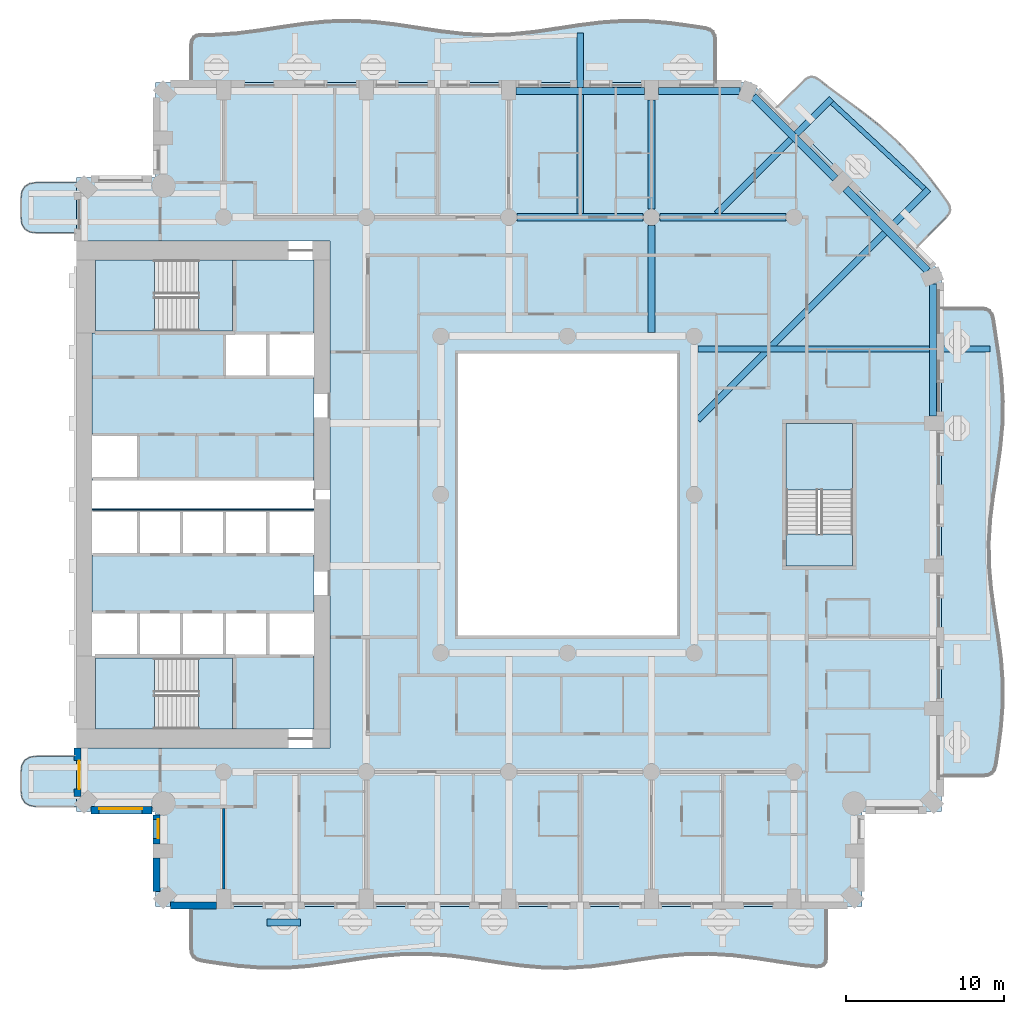
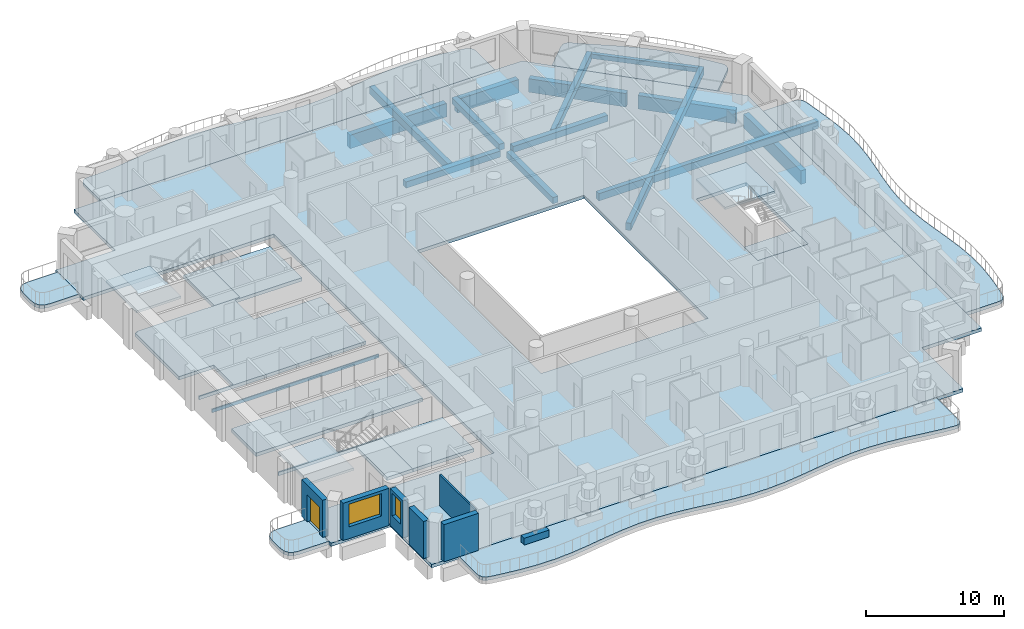
# One storey, part 2 of 20: 17 slabs, 14 beams, 7 walls, 2 windows, 1 door, 3 openings, 3 elements without a shape of their own.
"""IFC4 building model written with IfcOpenShell, lengths in metres."""

from ifc_helpers import new_model, si_unit, direction, frame, frame_2d, origin, origin_2d, place, context, subcontext, project, spatial, polyline, rectangle, outline, extrude, material, layer, layer_set, material_profile, profile_set, type_object, element, fill, aggregate, save


model = new_model("IFC4")

# Units and contexts
model_context = context("Model", 3, precision=1e-05, world=origin(), true_north=direction((0.0, 1.0)))
body_context = subcontext(model_context, "Body", "Model", "MODEL_VIEW")
ifc_project = project(units=[si_unit("LENGTHUNIT", "METRE"), si_unit("AREAUNIT", "SQUARE_METRE"), si_unit("VOLUMEUNIT", "CUBIC_METRE"), si_unit("PLANEANGLEUNIT", "RADIAN"), si_unit("MASSUNIT", "GRAM", prefix="KILO")], contexts=[model_context])

# Site, building, storey
site_placement = place(None, origin())
site = spatial("IfcSite", under=ifc_project, at=site_placement, CompositionType="ELEMENT")
building_placement = place(site_placement, origin())
building = spatial("IfcBuilding", under=site, at=building_placement, Name="Cypress Arch Tower", CompositionType="ELEMENT")
storey_placement = place(building_placement, frame((0.0, 0.0, 134.699951171875)))
storey = spatial("IfcBuildingStorey", under=building, at=storey_placement, Name="L29", CompositionType="ELEMENT", Elevation=134.699951171875)

# Beams
ifc_material_1 = material(Name="Concrete C50/60", Category="concrete")
ifc_material_profile_1 = material_profile(ifc_material_1, rectangle(XDim=0.300048828125, YDim=0.39990234375, at=origin_2d()), Name="RC 300x400")
ifc_profile_set_1 = profile_set([ifc_material_profile_1], Name="Concrete C50/60")
beam_type_1 = type_object("IfcBeamType", Name="Balcony edge beam RC 300x400 Concrete C50/60", PredefinedType="BEAM", material=ifc_profile_set_1)
beam_1_placement = place(storey_placement, frame((23.5302734375, 19.301025390625, -0.5), z_axis=(-0.732602447454, 0.680656781341, 0.0), x_axis=(-0.680656781341, -0.732602447454, 0.0)))
element("IfcBeam", 1, at=beam_1_placement, inside=storey, type_object=beam_type_1, Name="Balcony edge beam L29 A07", PredefinedType="BEAM", context=body_context, shape_type="SweptSolid", body=[
    extrude(rectangle(XDim=0.300048828125, YDim=0.39990234375, at=origin_2d()), origin(), (0.0, 0.0, 1.0), 7.96630859375),
])
ifc_material_2 = material(Name="Concrete C50/60", Category="concrete")
ifc_material_profile_2 = material_profile(ifc_material_2, rectangle(XDim=0.39990234375, YDim=0.64990234375, at=origin_2d()), Name="RC 400x650")
ifc_profile_set_2 = profile_set([ifc_material_profile_2], Name="Concrete C50/60")
beam_type_2 = type_object("IfcBeamType", Name="Cantilever beam RC 400x650 Concrete C50/60", PredefinedType="BEAM", material=ifc_profile_set_2)
beam_2_placement = place(storey_placement, frame((9.22509765625, 9.18798828125, -0.625), z_axis=(1.0, 0.0, 0.0), x_axis=(0.0, 1.0, 0.0)))
element("IfcBeam", 2, at=beam_2_placement, inside=storey, type_object=beam_type_2, Name="Cantilever beam L29 A06 2", PredefinedType="BEAM", context=body_context, shape_type="SweptSolid", body=[
    extrude(rectangle(XDim=0.39990234375, YDim=0.64990234375, at=origin_2d()), origin(), (0.0, 0.0, 1.0), 18.448486328125),
])
beam_3_placement = place(storey_placement, frame((9.22509765625, 4.712890625, -0.625), z_axis=(0.707100849904, 0.70711271242, 0.0), x_axis=(-0.70711271242, 0.707100849904, 0.0)))
element("IfcBeam", 3, at=beam_3_placement, inside=storey, type_object=beam_type_2, Name="Cantilever beam L29 A07 1", PredefinedType="BEAM", context=body_context, shape_type="SweptSolid", body=[
    extrude(rectangle(XDim=0.39990234375, YDim=0.64990234375, at=origin_2d()), origin(), (0.0, 0.0, 1.0), 20.580810546875),
])
beam_4_placement = place(storey_placement, frame((10.412841796875, 17.72509765625, -0.625), z_axis=(0.707106781187, 0.707106781187, 0.0), x_axis=(-0.707106781187, 0.707106781187, 0.0)))
element("IfcBeam", 4, at=beam_4_placement, inside=storey, type_object=beam_type_2, Name="Cantilever beam L29 A07 2", PredefinedType="BEAM", context=body_context, shape_type="SweptSolid", body=[
    extrude(rectangle(XDim=0.39990234375, YDim=0.64990234375, at=origin_2d()), origin(), (0.0, 0.0, 1.0), 10.2470703125),
])
beam_5_placement = place(storey_placement, frame((1.800048828125, 17.72509765625, -0.625), z_axis=(0.0, 1.0, 0.0), x_axis=(-1.0, 0.0, 0.0)))
element("IfcBeam", 5, at=beam_5_placement, inside=storey, type_object=beam_type_2, Name="Cantilever beam L29 A08 1", PredefinedType="BEAM", context=body_context, shape_type="SweptSolid", body=[
    extrude(rectangle(XDim=0.39990234375, YDim=0.64990234375, at=origin_2d()), origin(), (0.0, 0.0, 1.0), 11.40625),
])
ifc_material_3 = material(Name="Concrete C50/60", Category="concrete")
ifc_material_profile_3 = material_profile(ifc_material_3, rectangle(XDim=0.449951171875, YDim=0.550048828125, at=origin_2d()), Name="RC 450x550")
ifc_profile_set_3 = profile_set([ifc_material_profile_3], Name="Concrete C50/60")
beam_type_3 = type_object("IfcBeamType", Name="Floor beam RC 450x550 Concrete C50/60", PredefinedType="BEAM", material=ifc_profile_set_3)
for number, where, z_axis, x_axis, name in (
    (6, (-2.175048828125, 17.5, -0.574951171875), (1.0, 0.0, 0.0), (0.0, 1.0, 0.0), "Floor beam L29 FB017"),
    (7, (6.824951171875, 17.5, -0.574951171875), (1.0, 0.0, 0.0), (0.0, 1.0, 0.0), "Floor beam L29 FB018"),
):
    element("IfcBeam", number, at=place(storey_placement, frame(where, z_axis=z_axis, x_axis=x_axis)), inside=storey, type_object=beam_type_3, Name=name, PredefinedType="BEAM", context=body_context, shape_type="SweptSolid", body=[
        extrude(rectangle(XDim=0.449951171875, YDim=0.550048828125, at=origin_2d()), origin(), (0.0, 0.0, 1.0), 7.949951171875),
    ])
beam_6_placement = place(storey_placement, frame((6.300048828125, 10.22509765625, -0.574951171875), z_axis=(0.0, 1.0, 0.0), x_axis=(-1.0, 0.0, 0.0)))
element("IfcBeam", 8, at=beam_6_placement, inside=storey, type_object=beam_type_3, Name="Floor beam L29 FB032", PredefinedType="BEAM", context=body_context, shape_type="SweptSolid", body=[
    extrude(rectangle(XDim=0.449951171875, YDim=0.550048828125, at=origin_2d()), origin(), (0.0, 0.0, 1.0), 6.75),
])
beam_7_placement = place(storey_placement, frame((6.300048828125, 18.02490234375, -0.574951171875), z_axis=(0.0, 1.0, 0.0), x_axis=(-1.0, 0.0, 0.0)))
element("IfcBeam", 9, at=beam_7_placement, inside=storey, type_object=beam_type_3, Name="Floor beam L29 FB033", PredefinedType="BEAM", context=body_context, shape_type="SweptSolid", body=[
    extrude(rectangle(XDim=0.449951171875, YDim=0.550048828125, at=origin_2d()), origin(), (0.0, 0.0, 1.0), 6.875),
])
ifc_material_4 = material(Name="Concrete C50/60", Category="concrete")
ifc_material_profile_4 = material_profile(ifc_material_4, rectangle(XDim=0.449951171875, YDim=1.199951171875, at=origin_2d()), Name="RC 450x1200")
ifc_profile_set_4 = profile_set([ifc_material_profile_4], Name="Concrete C50/60")
beam_type_4 = type_object("IfcBeamType", Name="Spandrel beam RC 450x1200 Concrete C50/60", PredefinedType="SPANDREL", material=ifc_profile_set_4)
beam_8_placement = place(storey_placement, frame((24.074951171875, 4.949951171875, -1.550048828125), z_axis=(0.0, 1.0, 0.0), x_axis=(-1.0, 0.0, 0.0)))
element("IfcBeam", 10, at=beam_8_placement, inside=storey, type_object=beam_type_4, Name="Spandrel beam L29 BA06-3", PredefinedType="SPANDREL", context=body_context, shape_type="SweptSolid", body=[
    extrude(rectangle(XDim=0.449951171875, YDim=1.199951171875, at=origin_2d()), origin(), (0.0, 0.0, 1.0), 8.345458984375),
])
for number, where, z_axis, x_axis, name in (
    (11, (23.73046875, 14.126953125, -1.550048828125), (-0.707106781187, 0.707106781187, 0.0), (-0.707106781187, -0.707106781187, 0.0), "Spandrel beam L29 BA07-0"),
    (12, (17.91064453125, 19.947021484375, -1.550048828125), (-0.707106781187, 0.707106781187, 0.0), (-0.707106781187, -0.707106781187, 0.0), "Spandrel beam L29 BA07-1"),
):
    element("IfcBeam", number, at=place(storey_placement, frame(where, z_axis=z_axis, x_axis=x_axis)), inside=storey, type_object=beam_type_4, Name=name, PredefinedType="SPANDREL", context=body_context, shape_type="SweptSolid", body=[
        extrude(rectangle(XDim=0.449951171875, YDim=1.199951171875, at=origin_2d()), origin(), (0.0, 0.0, 1.0), 7.330810546875),
    ])
beam_9_placement = place(storey_placement, frame((11.8955078125, 25.47509765625, -1.550048828125), z_axis=(-1.0, 0.0, 0.0), x_axis=(0.0, -1.0, 0.0)))
element("IfcBeam", 13, at=beam_9_placement, inside=storey, type_object=beam_type_4, Name="Spandrel beam L29 BA08-0", PredefinedType="SPANDREL", context=body_context, shape_type="SweptSolid", body=[
    extrude(rectangle(XDim=0.449951171875, YDim=1.199951171875, at=origin_2d()), origin(), (0.0, 0.0, 1.0), 5.1455078125),
])
beam_10_placement = place(storey_placement, frame((5.85009765625, 25.47509765625, -1.550048828125), z_axis=(-1.0, 0.0, 0.0), x_axis=(0.0, -1.0, 0.0)))
element("IfcBeam", 14, at=beam_10_placement, inside=storey, type_object=beam_type_4, Name="Spandrel beam L29 BA08-1", PredefinedType="SPANDREL", context=body_context, shape_type="SweptSolid", body=[
    extrude(rectangle(XDim=0.449951171875, YDim=1.199951171875, at=origin_2d()), origin(), (0.0, 0.0, 1.0), 8.10009765625),
])

# Slabs
ifc_material_5 = material(Name="Concrete C40/50", Category="concrete")
ifc_layer_1 = layer(ifc_material_5, 0.300048828125)
ifc_layer_set_1 = layer_set([ifc_layer_1], Name="Balcony slab BS300")
slab_type_1 = type_object("IfcSlabType", Name="Balcony slab BS300", PredefinedType="USERDEFINED", material=ifc_layer_set_1)
slab_1_placement = place(storey_placement, frame((0.0, 0.0, -0.300048828125)))
element("IfcSlab", 15, at=slab_1_placement, inside=storey, type_object=slab_type_1, Name="Balcony slab L29-A00W0", ObjectType="BALCONY SLAB", PredefinedType="USERDEFINED", context=body_context, shape_type="SweptSolid", body=[
    extrude(outline(polyline([(-30.0, 19.699951171875), (-32.5, 19.699951171875), (-32.9375, 19.637451171875), (-33.25, 19.449951171875), (-33.4375, 19.137451171875), (-33.5, 18.699951171875), (-33.5, 17.5), (-33.4375, 17.0625), (-33.25, 16.75), (-32.9375, 16.5625), (-32.5, 16.5), (-30.0, 16.5), (-30.0, 19.699951171875)])), origin(), (0.0, 0.0, 1.0), 0.300048828125),
])
slab_2_placement = place(storey_placement, frame((0.0, 0.0, -0.300048828125)))
element("IfcSlab", 16, at=slab_2_placement, inside=storey, type_object=slab_type_1, Name="Balcony slab L29-A00W1", ObjectType="BALCONY SLAB", PredefinedType="USERDEFINED", context=body_context, shape_type="SweptSolid", body=[
    extrude(outline(polyline([(-30.0, -16.5), (-32.5, -16.5), (-32.9375, -16.5625), (-33.25, -16.75), (-33.4375, -17.0625), (-33.5, -17.5), (-33.5, -18.699951171875), (-33.4375, -19.137451171875), (-33.25, -19.449951171875), (-32.9375, -19.637451171875), (-32.5, -19.699951171875), (-30.0, -19.699951171875), (-30.0, -16.5)])), origin(), (0.0, 0.0, 1.0), 0.300048828125),
])
slab_3_placement = place(storey_placement, frame((0.0, 0.0, -0.300048828125)))
element("IfcSlab", 17, at=slab_3_placement, inside=storey, type_object=slab_type_1, Name="Balcony slab L29-A03", ObjectType="BALCONY SLAB", PredefinedType="USERDEFINED", context=body_context, shape_type="SweptSolid", body=[
    extrude(outline(polyline([(-22.75, -26.0), (-22.75, -28.6572265625), (-22.708251953125, -28.95947265625), (-22.5830078125, -29.1904296875), (-22.3740234375, -29.349609375), (-22.081787109375, -29.437255859375), (-21.264892578125, -29.564208984375), (-19.779541015625, -29.764892578125), (-18.29443359375, -29.8828125), (-16.809326171875, -29.886962890625), (-15.323974609375, -29.7763671875), (-13.8388671875, -29.579833984375), (-12.353759765625, -29.349365234375), (-10.868408203125, -29.145263671875), (-9.38330078125, -29.021240234375), (-7.898193359375, -29.010009765625), (-6.412841796875, -29.1142578125), (-4.927734375, -29.306884765625), (-3.442626953125, -29.537109375), (-1.95751953125, -29.744384765625), (-0.47216796875, -29.874267578125), (1.012939453125, -29.892822265625), (2.498046875, -29.794921875), (3.9833984375, -29.6064453125), (5.468505859375, -29.376708984375), (6.95361328125, -29.166259765625), (8.43896484375, -29.030517578125), (9.924072265625, -29.0048828125), (11.4091796875, -29.09619140625), (12.89453125, -29.280517578125), (14.379638671875, -29.509521484375), (15.86474609375, -29.72265625), (16.681640625, -29.800537109375), (16.97412109375, -29.786376953125), (17.182861328125, -29.680419921875), (17.308349609375, -29.482666015625), (17.35009765625, -29.19287109375), (17.35009765625, -26.0), (-22.75, -26.0)])), origin(), (0.0, 0.0, 1.0), 0.300048828125),
])
slab_4_placement = place(storey_placement, frame((0.0, 0.0, -0.300048828125)))
element("IfcSlab", 18, at=slab_4_placement, inside=storey, type_object=slab_type_1, Name="Balcony slab L29-A06", ObjectType="BALCONY SLAB", PredefinedType="USERDEFINED", context=body_context, shape_type="SweptSolid", body=[
    extrude(outline(polyline([(24.60009765625, -17.75), (27.26171875, -17.75), (27.562255859375, -17.70849609375), (27.791259765625, -17.583984375), (27.949462890625, -17.376708984375), (28.03662109375, -17.086181640625), (28.16259765625, -16.27490234375), (28.362548828125, -14.800048828125), (28.4814453125, -13.324951171875), (28.488525390625, -11.85009765625), (28.3818359375, -10.375), (28.18896484375, -8.89990234375), (27.960205078125, -7.425048828125), (27.7548828125, -5.949951171875), (27.625732421875, -4.47509765625), (27.60693359375, -3.0), (27.702880859375, -1.52490234375), (27.888671875, -0.050048828125), (28.116455078125, 1.425048828125), (28.3271484375, 2.89990234375), (28.4658203125, 4.375), (28.49658203125, 5.85009765625), (28.41162109375, 7.324951171875), (28.23291015625, 8.800048828125), (28.0068359375, 10.27490234375), (27.888671875, 11.086181640625), (27.804443359375, 11.376708984375), (27.6484375, 11.583984375), (27.420654296875, 11.70849609375), (27.12109375, 11.75), (24.60009765625, 11.75), (24.60009765625, -17.75)])), origin(), (0.0, 0.0, 1.0), 0.300048828125),
])
slab_5_placement = place(storey_placement, frame((0.0, 0.0, -0.300048828125)))
element("IfcSlab", 19, at=slab_5_placement, inside=storey, type_object=slab_type_1, Name="Balcony slab L29-A07", ObjectType="BALCONY SLAB", PredefinedType="USERDEFINED", context=body_context, shape_type="SweptSolid", body=[
    extrude(outline(polyline([(23.009033203125, 15.591064453125), (24.919921875, 17.501953125), (25.091796875, 17.72900390625), (25.16162109375, 17.9638671875), (25.12890625, 18.206787109375), (24.993896484375, 18.45751953125), (24.538818359375, 19.080322265625), (23.6953125, 20.1962890625), (22.804443359375, 21.26513671875), (21.845947265625, 22.26611328125), (20.814697265625, 23.194580078125), (19.722900390625, 24.06201171875), (18.595703125, 24.89453125), (17.46728515625, 25.725830078125), (16.86474609375, 26.200927734375), (16.621337890625, 26.34326171875), (16.384033203125, 26.381591796875), (16.15283203125, 26.315673828125), (15.927734375, 26.145751953125), (14.19091796875, 24.408935546875), (23.009033203125, 15.591064453125)])), origin(), (0.0, 0.0, 1.0), 0.300048828125),
])
slab_6_placement = place(storey_placement, frame((0.0, 0.0, -0.300048828125)))
element("IfcSlab", 20, at=slab_6_placement, inside=storey, type_object=slab_type_1, Name="Balcony slab L29-A08", ObjectType="BALCONY SLAB", PredefinedType="USERDEFINED", context=body_context, shape_type="SweptSolid", body=[
    extrude(outline(polyline([(10.35009765625, 26.0), (10.35009765625, 28.67822265625), (10.3095703125, 28.97119140625), (10.18798828125, 29.19482421875), (9.98583984375, 29.34912109375), (9.702392578125, 29.43408203125), (8.910888671875, 29.55712890625), (7.4716796875, 29.75439453125), (6.03271484375, 29.87646484375), (4.593505859375, 29.89306640625), (3.154296875, 29.800048828125), (1.71533203125, 29.620849609375), (0.276123046875, 29.399169921875), (-1.1630859375, 29.190185546875), (-2.602294921875, 29.04541015625), (-4.041259765625, 29.00048828125), (-5.48046875, 29.066650390625), (-6.919677734375, 29.227783203125), (-8.358642578125, 29.443603515625), (-9.7978515625, 29.660888671875), (-11.237060546875, 29.826171875), (-12.676025390625, 29.898681640625), (-14.115234375, 29.860107421875), (-15.554443359375, 29.72021484375), (-16.993408203125, 29.513671875), (-18.4326171875, 29.291259765625), (-19.871826171875, 29.108154296875), (-21.310791015625, 29.009521484375), (-22.102294921875, 29.01513671875), (-22.3857421875, 28.9765625), (-22.588134765625, 28.856689453125), (-22.70947265625, 28.655029296875), (-22.75, 28.3720703125), (-22.75, 26.0), (10.35009765625, 26.0)])), origin(), (0.0, 0.0, 1.0), 0.300048828125),
])
ifc_material_6 = material(Name="Concrete C40/50", Category="concrete")
ifc_layer_2 = layer(ifc_material_6, 0.300048828125)
ifc_layer_set_2 = layer_set([ifc_layer_2], Name="Core floor CF300")
slab_type_2 = type_object("IfcSlabType", Name="Core floor CF300", PredefinedType="FLOOR", material=ifc_layer_set_2)
slab_7_placement = place(storey_placement, frame((0.0, 0.0, -0.300048828125)))
element("IfcSlab", 21, at=slab_7_placement, inside=storey, type_object=slab_type_2, Name="Core floor", PredefinedType="FLOOR", context=body_context, shape_type="SweptSolid", body=[
    extrude(outline(polyline([(-20.125, -14.800048828125), (-15.0, -14.800048828125), (-15.0, -10.199951171875), (-17.919921875, -10.199951171875), (-20.639892578125, -10.199951171875), (-23.360107421875, -10.199951171875), (-26.080078125, -10.199951171875), (-28.800048828125, -10.199951171875), (-28.800048828125, -10.324951171875), (-22.27490234375, -10.324951171875), (-20.125, -10.324951171875), (-20.125, -14.800048828125)])), origin(), (0.0, 0.0, 1.0), 0.300048828125),
])
slab_8_placement = place(storey_placement, frame((0.0, 0.0, -0.300048828125)))
element("IfcSlab", 22, at=slab_8_placement, inside=storey, type_object=slab_type_2, Name="Core floor", PredefinedType="FLOOR", context=body_context, shape_type="SweptSolid", body=[
    extrude(outline(polyline([(-29.0, -3.800048828125), (-29.0, -7.39990234375), (-26.080078125, -7.39990234375), (-23.360107421875, -7.39990234375), (-20.639892578125, -7.39990234375), (-17.919921875, -7.39990234375), (-15.0, -7.39990234375), (-15.0, -3.800048828125), (-17.919921875, -3.800048828125), (-20.639892578125, -3.800048828125), (-23.360107421875, -3.800048828125), (-26.080078125, -3.800048828125), (-29.0, -3.800048828125)])), origin(), (0.0, 0.0, 1.0), 0.300048828125),
])
slab_9_placement = place(storey_placement, frame((0.0, 0.0, -0.300048828125)))
element("IfcSlab", 23, at=slab_9_placement, inside=storey, type_object=slab_type_2, Name="Core floor", PredefinedType="FLOOR", context=body_context, shape_type="SweptSolid", body=[
    extrude(outline(polyline([(-29.0, 3.800048828125), (-29.0, 10.199951171875), (-28.800048828125, 10.199951171875), (-28.800048828125, 10.324951171875), (-28.60009765625, 10.324951171875), (-22.27490234375, 10.324951171875), (-20.125, 10.324951171875), (-20.125, 14.800048828125), (-15.39990234375, 14.800048828125), (-15.0, 14.800048828125), (-15.0, 10.199951171875), (-15.39990234375, 10.199951171875), (-17.919921875, 10.199951171875), (-20.639892578125, 10.199951171875), (-20.639892578125, 7.39990234375), (-17.919921875, 7.39990234375), (-15.39990234375, 7.39990234375), (-15.0, 7.39990234375), (-15.0, 0.89990234375), (-28.60009765625, 0.89990234375), (-29.0, 0.89990234375), (-29.0, 1.0), (-28.60009765625, 1.0), (-26.080078125, 1.0), (-26.080078125, 3.800048828125), (-28.60009765625, 3.800048828125), (-29.0, 3.800048828125)])), origin(), (0.0, 0.0, 1.0), 0.300048828125),
])
slab_10_placement = place(storey_placement, frame((0.0, 0.0, -0.300048828125)))
element("IfcSlab", 24, at=slab_10_placement, inside=storey, type_object=slab_type_2, Name="Core floor", PredefinedType="FLOOR", context=body_context, shape_type="SweptSolid", body=[
    extrude(outline(polyline([(-22.27490234375, -10.324951171875), (-22.27490234375, -14.800048828125), (-20.125, -14.800048828125), (-20.125, -10.324951171875), (-22.27490234375, -10.324951171875)])), origin(), (0.0, 0.0, 1.0), 0.300048828125),
])
slab_11_placement = place(storey_placement, frame((0.0, 0.0, -0.300048828125)))
element("IfcSlab", 25, at=slab_11_placement, inside=storey, type_object=slab_type_2, Name="Core floor", PredefinedType="FLOOR", context=body_context, shape_type="SweptSolid", body=[
    extrude(outline(polyline([(-20.125, 14.800048828125), (-22.27490234375, 14.800048828125), (-22.27490234375, 10.324951171875), (-20.125, 10.324951171875), (-20.125, 14.800048828125)])), origin(), (0.0, 0.0, 1.0), 0.300048828125),
])
slab_12_placement = place(storey_placement, frame((0.0, 0.0, -0.300048828125)))
element("IfcSlab", 26, at=slab_12_placement, inside=storey, type_object=slab_type_2, Name="Stair floor landing", PredefinedType="FLOOR", context=body_context, shape_type="SweptSolid", body=[
    extrude(outline(polyline([(19.0, -4.5), (19.0, -2.5), (14.800048828125, -2.5), (14.800048828125, -4.5), (19.0, -4.5)])), origin(), (0.0, 0.0, 1.0), 0.300048828125),
])
slab_13_placement = place(storey_placement, frame((0.0, 0.0, -0.300048828125)))
element("IfcSlab", 27, at=slab_13_placement, inside=storey, type_object=slab_type_2, Name="Core floor", PredefinedType="FLOOR", context=body_context, shape_type="SweptSolid", body=[
    extrude(outline(polyline([(-20.639892578125, -1.0), (-23.360107421875, -1.0), (-26.080078125, -1.0), (-28.60009765625, -1.0), (-29.0, -1.0), (-29.0, -0.89990234375), (-28.60009765625, -0.89990234375), (-15.39990234375, -0.89990234375), (-15.0, -0.89990234375), (-15.0, -1.0), (-15.39990234375, -1.0), (-17.919921875, -1.0), (-20.639892578125, -1.0)])), origin(), (0.0, 0.0, 1.0), 0.300048828125),
])
ifc_material_7 = material(Name="Concrete C40/50", Category="concrete")
ifc_layer_3 = layer(ifc_material_7, 0.300048828125)
ifc_layer_set_3 = layer_set([ifc_layer_3], Name="PT flat slab 300 Concrete C40/50")
slab_type_3 = type_object("IfcSlabType", Name="PT flat slab 300 Concrete C40/50", PredefinedType="FLOOR", material=ifc_layer_set_3)
slab_14_placement = place(storey_placement, frame((0.0, 0.0, -0.300048828125)))
element("IfcSlab", 28, at=slab_14_placement, inside=storey, type_object=slab_type_3, Name="Floor slab L29", PredefinedType="FLOOR", context=body_context, shape_type="SweptSolid", body=[
    extrude(outline(polyline([(-30.0, 20.0), (-25.0, 20.0), (-25.0, 26.0), (12.60009765625, 26.0), (24.60009765625, 14.0), (24.60009765625, -20.0), (19.60009765625, -20.0), (19.60009765625, -26.0), (-25.0, -26.0), (-25.0, -20.0), (-30.0, -20.0), (-30.0, -16.0), (-14.0, -16.0), (-14.0, 16.0), (-30.0, 16.0), (-30.0, 20.0)]), holes=[polyline([(-6.0, -9.0), (8.0, -9.0), (8.0, 9.0), (-6.0, 9.0), (-6.0, -9.0)]), polyline([(14.800048828125, -4.5), (19.0, -4.5), (19.0, 4.5), (14.800048828125, 4.5), (14.800048828125, -4.5)])]), origin(), (0.0, 0.0, 1.0), 0.300048828125),
])

# Stair, slab
ifc_material_8 = material(Name="Concrete C40/50", Category="concrete")
stair_type_1 = type_object("IfcStairType", Name="Exit stair ES1636-215", PredefinedType="HALF_TURN_STAIR", material=ifc_material_8)
stair_1_placement = place(storey_placement, origin())
stair_1 = element("IfcStair", 29, at=stair_1_placement, inside=storey, type_object=stair_type_1, Name="L29 Exit stair A", PredefinedType="HALF_TURN_STAIR")
ifc_material_9 = material(Name="Concrete C40/50", Category="concrete")
ifc_layer_4 = layer(ifc_material_9, 0.199951171875)
ifc_layer_set_4 = layer_set([ifc_layer_4], Name="Stair landing SL200")
slab_type_4 = type_object("IfcSlabType", Name="Stair landing SL200", PredefinedType="LANDING", material=ifc_layer_set_4)
slab_15_placement = place(storey_placement, frame((0.0, 0.0, 1.60009765625)))
slab_15 = element("IfcSlab", 30, at=slab_15_placement, type_object=slab_type_4, Name="A landing 1", PredefinedType="LANDING", context=body_context, shape_type="SweptSolid", body=[
    extrude(outline(polyline([(-25.074951171875, -10.324951171875), (-28.800048828125, -10.324951171875), (-28.800048828125, -14.800048828125), (-25.074951171875, -14.800048828125), (-25.074951171875, -10.324951171875)])), origin(), (0.0, 0.0, 1.0), 0.199951171875),
])
aggregate(stair_1, [slab_15])

stair_2_placement = place(storey_placement, origin())
stair_2 = element("IfcStair", 31, at=stair_2_placement, inside=storey, type_object=stair_type_1, Name="L29 Exit stair B", PredefinedType="HALF_TURN_STAIR")
slab_16_placement = place(storey_placement, frame((0.0, 0.0, 1.60009765625)))
slab_16 = element("IfcSlab", 32, at=slab_16_placement, type_object=slab_type_4, Name="B landing 1", PredefinedType="LANDING", context=body_context, shape_type="SweptSolid", body=[
    extrude(outline(polyline([(-25.074951171875, 14.800048828125), (-28.800048828125, 14.800048828125), (-28.800048828125, 10.324951171875), (-25.074951171875, 10.324951171875), (-25.074951171875, 14.800048828125)])), origin(), (0.0, 0.0, 1.0), 0.199951171875),
])
aggregate(stair_2, [slab_16])

ifc_material_10 = material(Name="Concrete C40/50", Category="concrete")
stair_type_2 = type_object("IfcStairType", Name="Exit stair ES1636-200", PredefinedType="HALF_TURN_STAIR", material=ifc_material_10)
stair_3_placement = place(storey_placement, origin())
stair_3 = element("IfcStair", 33, at=stair_3_placement, inside=storey, type_object=stair_type_2, Name="L29 Exit stair C", PredefinedType="HALF_TURN_STAIR")
slab_17_placement = place(storey_placement, frame((0.0, 0.0, 1.60009765625)))
slab_17 = element("IfcSlab", 34, at=slab_17_placement, type_object=slab_type_4, Name="C landing 1", PredefinedType="LANDING", context=body_context, shape_type="SweptSolid", body=[
    extrude(outline(polyline([(19.0, 0.300048828125), (19.0, 4.5), (14.800048828125, 4.5), (14.800048828125, 0.300048828125), (19.0, 0.300048828125)])), origin(), (0.0, 0.0, 1.0), 0.199951171875),
])
aggregate(stair_3, [slab_17])

# Wall
ifc_material_11 = material(Name="Concrete C40/50, waterproofed", Category="concrete")
ifc_layer_5 = layer(ifc_material_11, 0.449951171875)
ifc_layer_set_5 = layer_set([ifc_layer_5], Name="Balcony planter wall PW450")
wall_type_1 = type_object("IfcWallType", Name="Balcony planter wall PW450", PredefinedType="SOLIDWALL", material=ifc_layer_set_5)
wall_1_placement = place(storey_placement, frame((-17.949951171875, -27.0, 0.0), z_axis=(0.0, 0.0, 1.0), x_axis=(1.0, 0.0, 0.0)))
element("IfcWall", 35, at=wall_1_placement, inside=storey, type_object=wall_type_1, Name="Balcony planter wall L29-A03.1", PredefinedType="SOLIDWALL", context=body_context, shape_type="SweptSolid", body=[
    extrude(rectangle(XDim=2.099853515625, YDim=0.449951171875, at=frame_2d((1.0498046875, 0.0))), origin(), (0.0, 0.0, 1.0), 0.60009765625),
])

# Wall, opening, door
ifc_material_12 = material(Name="Brick (red buff blend)", Category="masonry")
ifc_layer_6 = layer(ifc_material_12, 0.449951171875)
ifc_layer_set_6 = layer_set([ifc_layer_6], Name="Brick pier and spandrel wall BW450")
wall_type_2 = type_object("IfcWallType", Name="Brick pier and spandrel wall BW450", PredefinedType="SOLIDWALL", material=ifc_layer_set_6)
wall_2_placement = place(storey_placement, frame((-29.925048828125, -16.0, 0.0), z_axis=(0.0, 0.0, 1.0), x_axis=(0.0, -1.0, 0.0)))
wall_2 = element("IfcWall", 36, at=wall_2_placement, inside=storey, type_object=wall_type_2, Name="Brick wall L29 A00.0.1", PredefinedType="SOLIDWALL", context=body_context, shape_type="SweptSolid", body=[
    extrude(rectangle(XDim=3.063720703125, YDim=0.449951171875, at=frame_2d((1.53173828125, 0.0))), origin(), (0.0, 0.0, 1.0), 3.300048828125),
])
opening_1_placement = place(wall_2_placement, frame((0.78173828125, 0.0, 0.0)))
opening_1 = element("IfcOpeningElement", 37, at=opening_1_placement, cuts=wall_2, Name="Opening D-L29-A00.0.1.9", PredefinedType="OPENING", context=body_context, shape_type="SweptSolid", body=[
    extrude(rectangle(XDim=1.800048828125, YDim=2.39990234375, at=frame_2d((0.89990234375, 1.199951171875))), frame((0.0, 0.23486328125, 0.0), z_axis=(0.0, -1.0, 0.0), x_axis=(1.0, 0.0, 0.0)), (0.0, 0.0, 1.0), 0.469970703125),
])
ifc_material_13 = material(Name="Anodised aluminium, bronze finish, laminated low-emissivity double glazing, large-missile impact rated", Category="aluminium")
door_type = type_object("IfcDoorType", Name="Balcony sliding door 1800x2400", OperationType="SLIDING_TO_LEFT", PredefinedType="DOOR", material=ifc_material_13)
door_placement = place(opening_1_placement, origin())
door = element("IfcDoor", 38, at=door_placement, inside=storey, type_object=door_type, Name="Balcony door L29 A00.0.1.9", OperationType="SLIDING_TO_LEFT", OverallHeight=2.39990234375, OverallWidth=1.800048828125, PredefinedType="DOOR", context=body_context, shape_type="SweptSolid", body=[
    extrude(rectangle(XDim=1.800048828125, YDim=2.39990234375, at=frame_2d((0.89990234375, 1.199951171875))), frame((0.0, 0.1298828125, 0.0), z_axis=(0.0, -1.0, 0.0), x_axis=(1.0, 0.0, 0.0)), (0.0, 0.0, 1.0), 0.050048828125),
])
fill(opening_1, door)

# Wall, opening, window
wall_3_placement = place(storey_placement, frame((-29.063720703125, -19.925048828125, 0.0), z_axis=(0.0, 0.0, 1.0), x_axis=(1.0, 0.0, 0.0)))
wall_3 = element("IfcWall", 39, at=wall_3_placement, inside=storey, type_object=wall_type_2, Name="Brick wall L29 A01.0", PredefinedType="SOLIDWALL", context=body_context, shape_type="SweptSolid", body=[
    extrude(rectangle(XDim=3.856689453125, YDim=0.449951171875, at=frame_2d((1.92822265625, 0.0))), origin(), (0.0, 0.0, 1.0), 3.300048828125),
])
opening_2_placement = place(wall_3_placement, frame((0.513671875, 0.0, 1.050048828125)))
opening_2 = element("IfcOpeningElement", 40, at=opening_2_placement, cuts=wall_3, Name="Opening W270H", PredefinedType="OPENING", context=body_context, shape_type="SweptSolid", body=[
    extrude(rectangle(XDim=2.699951171875, YDim=2.0, at=frame_2d((1.35009765625, 1.0))), frame((0.0, 0.23486328125, 0.0), z_axis=(0.0, -1.0, 0.0), x_axis=(1.0, 0.0, 0.0)), (0.0, 0.0, 1.0), 0.469970703125),
])
ifc_material_14 = material(Name="Anodised aluminium, bronze finish, clear low-emissivity double glazing", Category="aluminium")
window_type_1 = type_object("IfcWindowType", Name="Window Hotel 2700x2000", PartitioningType="SINGLE_PANEL", PredefinedType="WINDOW", material=ifc_material_14)
window_1_placement = place(opening_2_placement, origin())
window_1 = element("IfcWindow", 41, at=window_1_placement, inside=storey, type_object=window_type_1, Name="Window L29 A01.0.1", OverallHeight=2.0, OverallWidth=2.699951171875, PartitioningType="SINGLE_PANEL", PredefinedType="WINDOW", context=body_context, shape_type="SweptSolid", body=[
    extrude(rectangle(XDim=2.699951171875, YDim=2.0, at=frame_2d((1.35009765625, 1.0))), frame((0.0, 0.135009765625, 0.0), z_axis=(0.0, -1.0, 0.0), x_axis=(1.0, 0.0, 0.0)), (0.0, 0.0, 1.0), 0.06005859375),
])
fill(opening_2, window_1)

wall_4_placement = place(storey_placement, frame((-24.925048828125, -20.20703125, 0.0), z_axis=(0.0, 0.0, 1.0), x_axis=(0.0, -1.0, 0.0)))
wall_4 = element("IfcWall", 42, at=wall_4_placement, inside=storey, type_object=wall_type_2, Name="Brick wall L29 A02.0", PredefinedType="SOLIDWALL", context=body_context, shape_type="SweptSolid", body=[
    extrude(rectangle(XDim=1.843017578125, YDim=0.449951171875, at=frame_2d((0.92138671875, 0.0))), origin(), (0.0, 0.0, 1.0), 3.300048828125),
])
opening_3_placement = place(wall_4_placement, frame((0.29296875, 0.0, 1.050048828125)))
opening_3 = element("IfcOpeningElement", 43, at=opening_3_placement, cuts=wall_4, Name="Opening W120H", PredefinedType="OPENING", context=body_context, shape_type="SweptSolid", body=[
    extrude(rectangle(XDim=1.199951171875, YDim=2.0, at=frame_2d((0.60009765625, 1.0))), frame((0.0, 0.23486328125, 0.0), z_axis=(0.0, -1.0, 0.0), x_axis=(1.0, 0.0, 0.0)), (0.0, 0.0, 1.0), 0.469970703125),
])
ifc_material_15 = material(Name="Anodised aluminium, bronze finish, clear low-emissivity double glazing", Category="aluminium")
window_type_2 = type_object("IfcWindowType", Name="Window Hotel 1200x2000", PartitioningType="SINGLE_PANEL", PredefinedType="WINDOW", material=ifc_material_15)
window_2_placement = place(opening_3_placement, origin())
window_2 = element("IfcWindow", 44, at=window_2_placement, inside=storey, type_object=window_type_2, Name="Window L29 A02.0.1", OverallHeight=2.0, OverallWidth=1.199951171875, PartitioningType="SINGLE_PANEL", PredefinedType="WINDOW", context=body_context, shape_type="SweptSolid", body=[
    extrude(rectangle(XDim=1.199951171875, YDim=2.0, at=frame_2d((0.60009765625, 1.0))), frame((0.0, 0.135009765625, 0.0), z_axis=(0.0, -1.0, 0.0), x_axis=(1.0, 0.0, 0.0)), (0.0, 0.0, 1.0), 0.06005859375),
])
fill(opening_3, window_2)

# Walls
wall_5_placement = place(storey_placement, frame((-24.925048828125, -22.949951171875, 0.0), z_axis=(0.0, 0.0, 1.0), x_axis=(0.0, -1.0, 0.0)))
element("IfcWall", 45, at=wall_5_placement, inside=storey, type_object=wall_type_2, Name="Brick wall L29 A02.1", PredefinedType="SOLIDWALL", context=body_context, shape_type="SweptSolid", body=[
    extrude(rectangle(XDim=2.11376953125, YDim=0.449951171875, at=frame_2d((1.056884765625, 0.0))), origin(), (0.0, 0.0, 1.0), 3.300048828125),
])
wall_6_placement = place(storey_placement, frame((-24.063720703125, -25.925048828125, 0.0), z_axis=(0.0, 0.0, 1.0), x_axis=(1.0, 0.0, 0.0)))
element("IfcWall", 46, at=wall_6_placement, inside=storey, type_object=wall_type_2, Name="Brick wall L29 A03.0", PredefinedType="SOLIDWALL", context=body_context, shape_type="SweptSolid", body=[
    extrude(rectangle(XDim=2.913818359375, YDim=0.449951171875, at=frame_2d((1.45703125, 0.0))), origin(), (0.0, 0.0, 1.0), 3.300048828125),
])
ifc_material_16 = material(Name="Blockwork, plastered both sides", Category="masonry")
ifc_layer_7 = layer(ifc_material_16, 0.14990234375)
ifc_layer_set_7 = layer_set([ifc_layer_7], Name="Partition PW150")
wall_type_3 = type_object("IfcWallType", Name="Partition PW150", PredefinedType="PARTITIONING", material=ifc_layer_set_7)
wall_7_placement = place(storey_placement, frame((-20.699951171875, -24.89990234375, 0.0), z_axis=(0.0, 0.0, 1.0), x_axis=(0.0, 1.0, 0.0)))
element("IfcWall", 47, at=wall_7_placement, inside=storey, type_object=wall_type_3, Name="Partition", PredefinedType="PARTITIONING", context=body_context, shape_type="SweptSolid", body=[
    extrude(rectangle(XDim=5.099853515625, YDim=0.14990234375, at=frame_2d((2.5498046875, 0.0))), origin(), (0.0, 0.0, 1.0), 2.75),
])

save(model, "model.ifc")
